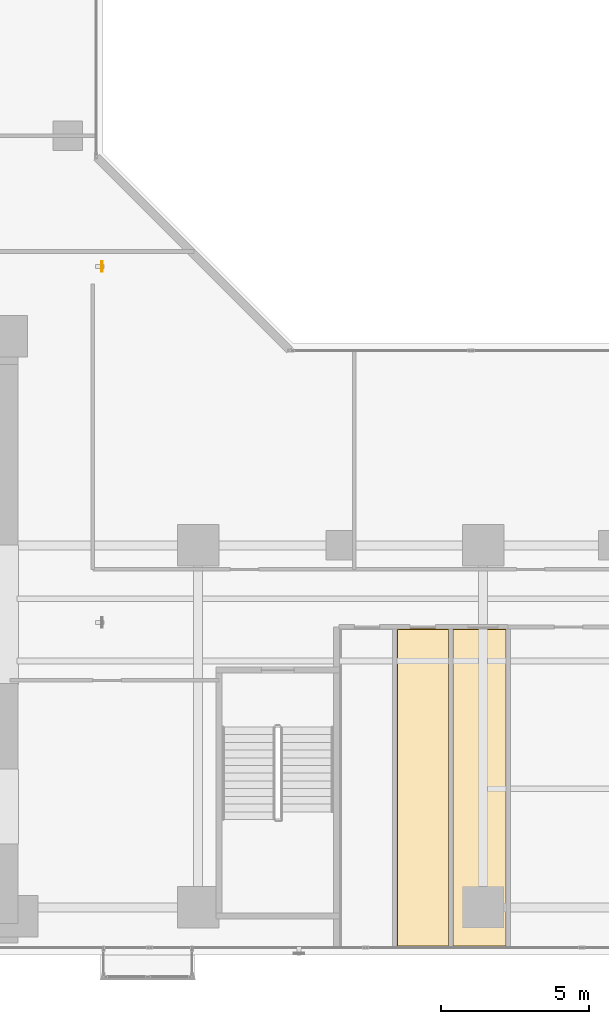
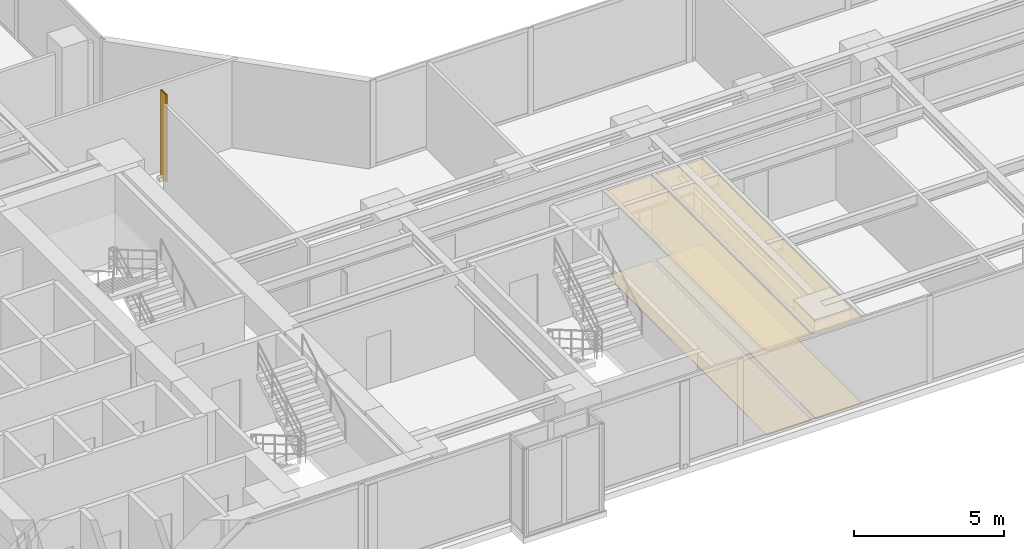
# One storey, part 23 of 24: 4 coverings, 1 shading device.
"""IFC4 building model written with IfcOpenShell, lengths in metres."""

from ifc_helpers import new_model, si_unit, direction, frame, origin, origin_2d, place, context, subcontext, project, spatial, polyline, hollow_rectangle, outline, extrude, material, layer, layer_set, material_profile, profile_set, type_object, element, save


model = new_model("IFC4")

# Units and contexts
model_context = context("Model", 3, precision=1e-05, world=origin(), true_north=direction((0.0, 1.0)))
body_context = subcontext(model_context, "Body", "Model", "MODEL_VIEW")
ifc_project = project(units=[si_unit("LENGTHUNIT", "METRE"), si_unit("AREAUNIT", "SQUARE_METRE"), si_unit("VOLUMEUNIT", "CUBIC_METRE"), si_unit("PLANEANGLEUNIT", "RADIAN"), si_unit("MASSUNIT", "GRAM", prefix="KILO")], contexts=[model_context])

# Site, building, storey
site_placement = place(None, origin())
site = spatial("IfcSite", under=ifc_project, at=site_placement, CompositionType="ELEMENT")
building_placement = place(site_placement, origin())
building = spatial("IfcBuilding", under=site, at=building_placement, Name="Kolvaren Waterfront Exchange", CompositionType="ELEMENT")
storey_placement = place(building_placement, frame((0.0, 0.0, 91.699951171875)))
storey = spatial("IfcBuildingStorey", under=building, at=storey_placement, Name="L23", CompositionType="ELEMENT", Elevation=91.699951171875)

# Coverings
ifc_material_1 = material(Name="Mineral fibre acoustic ceiling tile")
ifc_layer_1 = layer(ifc_material_1, 0.02490234375, Name="Mineral fibre acoustic ceiling tile")
ifc_layer_set_1 = layer_set([ifc_layer_1], Name="Mineral fibre acoustic ceiling tile")
covering_type_1 = type_object("IfcCoveringType", Name="ARC-CEIL-ACOUSTIC-25", PredefinedType="CEILING", material=ifc_layer_set_1)
covering_1_placement = place(storey_placement, frame((0.0, 0.0, 3.425048828125)))
element("IfcCovering", 1, at=covering_1_placement, inside=storey, type_object=covering_type_1, Name="L23 acoustic suspended ceiling 2", PredefinedType="CEILING", context=body_context, shape_type="SweptSolid", body=[
    extrude(outline(polyline([(35.6650390625, 3.864990234375), (35.6650390625, 14.594970703125), (33.875, 14.594970703125), (33.875, 3.864990234375), (35.6650390625, 3.864990234375)])), origin(), (0.0, 0.0, 1.0), 0.02490234375),
])
covering_2_placement = place(storey_placement, frame((0.0, 0.0, 3.425048828125)))
element("IfcCovering", 2, at=covering_2_placement, inside=storey, type_object=covering_type_1, Name="L23 acoustic suspended ceiling 3", PredefinedType="CEILING", context=body_context, shape_type="SweptSolid", body=[
    extrude(outline(polyline([(37.60498046875, 3.864990234375), (37.60498046875, 14.594970703125), (35.7548828125, 14.594970703125), (35.7548828125, 3.864990234375), (37.60498046875, 3.864990234375)])), origin(), (0.0, 0.0, 1.0), 0.02490234375),
])

# Shading device
ifc_material_2 = material(Name="Anodised bronze aluminium 6063-T6", Category="aluminium")
ifc_material_profile = material_profile(ifc_material_2, hollow_rectangle(XDim=0.06005859375, YDim=0.35009765625, WallThickness=0.0048828125, at=origin_2d()), Name="BRZ-FIN-350x60x5")
ifc_profile_set = profile_set([ifc_material_profile], Name="Anodised bronze aluminium 6063-T6")
shading_device_type = type_object("IfcShadingDeviceType", Name="ARC-FIN-350", PredefinedType="USERDEFINED", material=ifc_profile_set)
shading_device_placement = place(storey_placement, frame((23.9599609375, 26.800048828125, 0.0), z_axis=(0.0, 0.0, 1.0), x_axis=(1.0, 0.0, 0.0)))
element("IfcShadingDevice", 3, at=shading_device_placement, inside=storey, type_object=shading_device_type, Name="L23 anodised bronze solar shading fin FIN-L23-E2", ObjectType="SOLAR FIN", PredefinedType="USERDEFINED", context=body_context, shape_type="SweptSolid", body=[
    extrude(hollow_rectangle(XDim=0.06005859375, YDim=0.35009765625, WallThickness=0.0048828125, at=origin_2d()), origin(), (0.0, 0.0, 1.0), 3.5400390625),
])

# Coverings
ifc_material_3 = material(Name="Slip-resistant porcelain tile")
ifc_layer_2 = layer(ifc_material_3, 0.014892578125, Name="Slip-resistant porcelain tile")
ifc_layer_set_2 = layer_set([ifc_layer_2], Name="Slip-resistant porcelain tile")
covering_type_2 = type_object("IfcCoveringType", Name="ARC-FLR-PORC-15", PredefinedType="FLOORING", material=ifc_layer_set_2)
covering_3_placement = place(storey_placement, origin())
element("IfcCovering", 4, at=covering_3_placement, inside=storey, type_object=covering_type_2, Name="L23 floor finish 2", PredefinedType="FLOORING", context=body_context, shape_type="SweptSolid", body=[
    extrude(outline(polyline([(33.909912109375, 14.56005859375), (33.909912109375, 3.89990234375), (35.6298828125, 3.89990234375), (35.6298828125, 14.56005859375), (33.909912109375, 14.56005859375)])), origin(), (0.0, 0.0, 1.0), 0.01513671875),
])
covering_4_placement = place(storey_placement, origin())
element("IfcCovering", 5, at=covering_4_placement, inside=storey, type_object=covering_type_2, Name="L23 floor finish 3", PredefinedType="FLOORING", context=body_context, shape_type="SweptSolid", body=[
    extrude(outline(polyline([(35.7900390625, 14.56005859375), (35.7900390625, 3.89990234375), (37.570068359375, 3.89990234375), (37.570068359375, 14.56005859375), (35.7900390625, 14.56005859375)])), origin(), (0.0, 0.0, 1.0), 0.01513671875),
])

save(model, "model.ifc")
